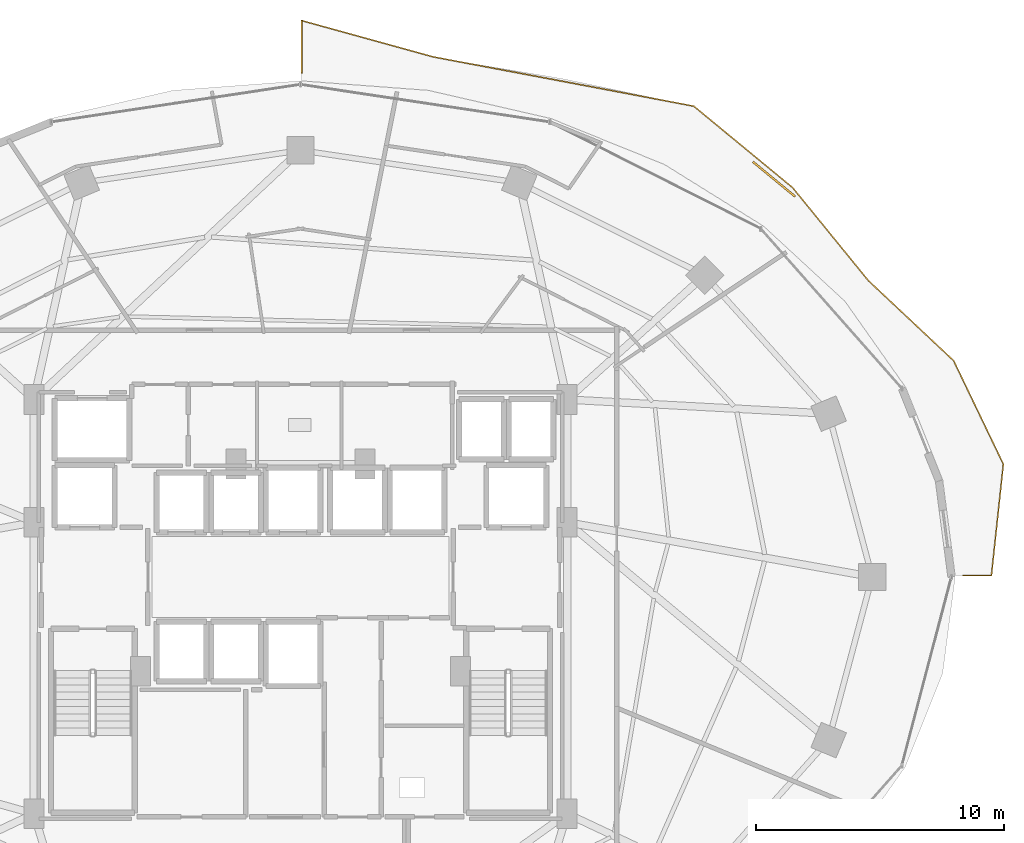
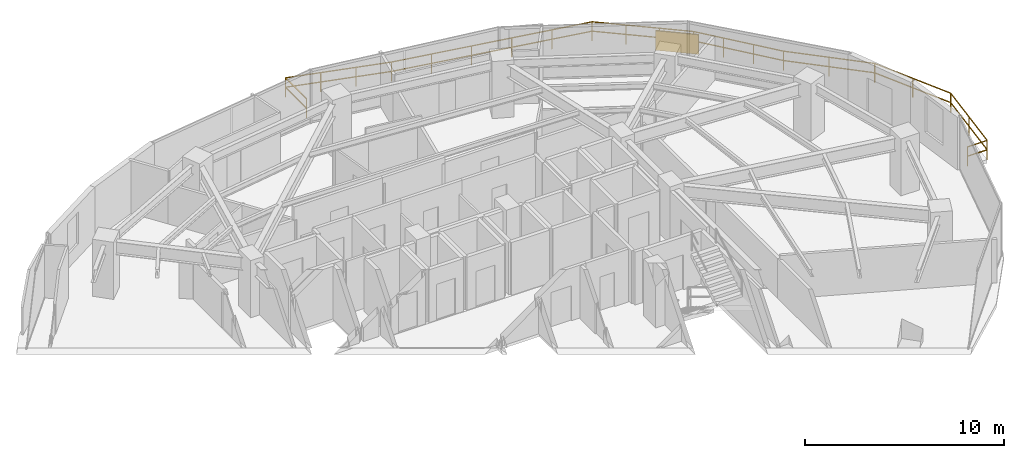
# One storey, part 28 of 29: 2 railings, 1 shading device.
"""IFC4 building model written with IfcOpenShell, lengths in metres."""

from ifc_helpers import new_model, si_unit, direction, frame, origin, origin_2d, place, context, subcontext, project, spatial, rectangle, extrude, material, type_object, element, save


model = new_model("IFC4")

# Units and contexts
model_context = context("Model", 3, precision=1e-05, world=origin(), true_north=direction((0.0, 1.0)))
body_context = subcontext(model_context, "Body", "Model", "MODEL_VIEW")
ifc_project = project(units=[si_unit("LENGTHUNIT", "METRE"), si_unit("AREAUNIT", "SQUARE_METRE"), si_unit("VOLUMEUNIT", "CUBIC_METRE"), si_unit("PLANEANGLEUNIT", "RADIAN"), si_unit("MASSUNIT", "GRAM", prefix="KILO")], contexts=[model_context])

# Site, building, storey
site_placement = place(None, origin())
site = spatial("IfcSite", under=ifc_project, at=site_placement, CompositionType="ELEMENT")
building_placement = place(site_placement, origin())
building = spatial("IfcBuilding", under=site, at=building_placement, Name="Vorneva Point Tower", CompositionType="ELEMENT")
storey_placement = place(building_placement, frame((0.0, 0.0, 82.300048828125)))
storey = spatial("IfcBuildingStorey", under=building, at=storey_placement, Name="L21", CompositionType="ELEMENT", Elevation=82.300048828125)

# Railings
ifc_material = material(Name="Pale anodised aluminium", Category="aluminium")
railing_type = type_object("IfcRailingType", Name="RL-BAL-1200", PredefinedType="BALUSTRADE", material=ifc_material)
railing_1_placement = place(storey_placement, frame((38.050048828125, 48.43115234375, 0.0)))
element("IfcRailing", 1, at=railing_1_placement, inside=storey, type_object=railing_type, Name="L21 Wave Balcony Balustrade NE.1", PredefinedType="BALUSTRADE", context=body_context, shape_type="SweptSolid", body=[
    extrude(rectangle(XDim=0.048095703125, YDim=0.048095703125, at=origin_2d()), frame((0.0, 0.0, 1.17578125), z_axis=(0.0, -1.0, 0.0), x_axis=(1.0, 0.0, 0.0)), (0.0, 0.0, 1.0), 2.114013671875),
    extrude(rectangle(XDim=0.048095703125, YDim=0.048095703125, at=origin_2d()), frame((0.0, 0.0, 0.60009765625), z_axis=(0.0, -1.0, 0.0), x_axis=(1.0, 0.0, 0.0)), (0.0, 0.0, 1.0), 2.114013671875),
    extrude(rectangle(XDim=0.0419921875, YDim=0.0419921875, at=origin_2d()), origin(), (0.0, 0.0, 1.0), 1.15185546875),
    extrude(rectangle(XDim=0.0419921875, YDim=0.0419921875, at=origin_2d()), frame((0.0, -2.114013671875, 0.0)), (0.0, 0.0, 1.0), 1.15185546875),
])
railing_2_placement = place(storey_placement, frame((64.71630859375, 26.050048828125, 0.0)))
element("IfcRailing", 2, at=railing_2_placement, inside=storey, type_object=railing_type, Name="L21 Wave Balcony Balustrade NE.2", PredefinedType="BALUSTRADE", context=body_context, shape_type="SweptSolid", body=[
    extrude(rectangle(XDim=0.048095703125, YDim=0.048095703125, at=origin_2d()), frame((0.0, 0.0, 1.17578125), z_axis=(1.0, 0.0, 0.0), x_axis=(0.0, 1.0, 0.0)), (0.0, 0.0, 1.0), 1.14404296875),
    extrude(rectangle(XDim=0.048095703125, YDim=0.048095703125, at=origin_2d()), frame((0.0, 0.0, 0.60009765625), z_axis=(1.0, 0.0, 0.0), x_axis=(0.0, 1.0, 0.0)), (0.0, 0.0, 1.0), 1.14404296875),
    extrude(rectangle(XDim=0.048095703125, YDim=0.048095703125, at=origin_2d()), frame((1.14404296875, 0.0, 1.17578125), z_axis=(0.106500706091, 0.994312626694, 0.0), x_axis=(-0.994312626694, 0.106500706091, 0.0)), (0.0, 0.0, 1.0), 4.5205078125),
    extrude(rectangle(XDim=0.048095703125, YDim=0.048095703125, at=origin_2d()), frame((1.14404296875, 0.0, 0.60009765625), z_axis=(0.106500706091, 0.994312626694, 0.0), x_axis=(-0.994312626694, 0.106500706091, 0.0)), (0.0, 0.0, 1.0), 4.5205078125),
    extrude(rectangle(XDim=0.048095703125, YDim=0.048095703125, at=origin_2d()), frame((1.62548828125, 4.494873046875, 1.17578125), z_axis=(-0.433152750876, 0.901320528119, 0.0), x_axis=(-0.901320528119, -0.433152750876, 0.0)), (0.0, 0.0, 1.0), 4.629638671875),
    extrude(rectangle(XDim=0.048095703125, YDim=0.048095703125, at=origin_2d()), frame((1.62548828125, 4.494873046875, 0.60009765625), z_axis=(-0.433152750876, 0.901320528119, 0.0), x_axis=(-0.901320528119, -0.433152750876, 0.0)), (0.0, 0.0, 1.0), 4.629638671875),
    extrude(rectangle(XDim=0.048095703125, YDim=0.048095703125, at=origin_2d()), frame((-0.3798828125, 8.667724609375, 1.17578125), z_axis=(-0.728912249194, 0.68460713769, 0.0), x_axis=(-0.68460713769, -0.728912249194, 0.0)), (0.0, 0.0, 1.0), 4.717041015625),
    extrude(rectangle(XDim=0.048095703125, YDim=0.048095703125, at=origin_2d()), frame((-0.3798828125, 8.667724609375, 0.60009765625), z_axis=(-0.728912249194, 0.68460713769, 0.0), x_axis=(-0.68460713769, -0.728912249194, 0.0)), (0.0, 0.0, 1.0), 4.717041015625),
    extrude(rectangle(XDim=0.048095703125, YDim=0.048095703125, at=origin_2d()), frame((-3.818115234375, 11.89697265625, 1.17578125), z_axis=(-0.631402054213, 0.775455637633, 0.0), x_axis=(-0.775455637633, -0.631402054213, 0.0)), (0.0, 0.0, 1.0), 4.835205078125),
    extrude(rectangle(XDim=0.048095703125, YDim=0.048095703125, at=origin_2d()), frame((-3.818115234375, 11.89697265625, 0.60009765625), z_axis=(-0.631402054213, 0.775455637633, 0.0), x_axis=(-0.775455637633, -0.631402054213, 0.0)), (0.0, 0.0, 1.0), 4.835205078125),
    extrude(rectangle(XDim=0.048095703125, YDim=0.048095703125, at=origin_2d()), frame((-6.87109375, 15.646484375, 1.17578125), z_axis=(-0.771788350343, 0.635879502952, 0.0), x_axis=(-0.635879502952, -0.771788350343, 0.0)), (0.0, 0.0, 1.0), 5.166259765625),
    extrude(rectangle(XDim=0.048095703125, YDim=0.048095703125, at=origin_2d()), frame((-6.87109375, 15.646484375, 0.60009765625), z_axis=(-0.771788350343, 0.635879502952, 0.0), x_axis=(-0.635879502952, -0.771788350343, 0.0)), (0.0, 0.0, 1.0), 5.166259765625),
    extrude(rectangle(XDim=0.048095703125, YDim=0.048095703125, at=origin_2d()), frame((-10.8583984375, 18.931640625, 1.17578125), z_axis=(-0.982576445985, 0.185858892161, 0.0), x_axis=(-0.185858892161, -0.982576445985, 0.0)), (0.0, 0.0, 1.0), 10.68994140625),
    extrude(rectangle(XDim=0.048095703125, YDim=0.048095703125, at=origin_2d()), frame((-10.8583984375, 18.931640625, 0.60009765625), z_axis=(-0.982576445985, 0.185858892161, 0.0), x_axis=(-0.185858892161, -0.982576445985, 0.0)), (0.0, 0.0, 1.0), 10.68994140625),
    extrude(rectangle(XDim=0.048095703125, YDim=0.048095703125, at=origin_2d()), frame((-21.362060546875, 20.91845703125, 1.17578125), z_axis=(-0.964019677503, 0.265830888701, 0.0), x_axis=(-0.265830888701, -0.964019677503, 0.0)), (0.0, 0.0, 1.0), 5.502197265625),
    extrude(rectangle(XDim=0.048095703125, YDim=0.048095703125, at=origin_2d()), frame((-21.362060546875, 20.91845703125, 0.60009765625), z_axis=(-0.964019677503, 0.265830888701, 0.0), x_axis=(-0.265830888701, -0.964019677503, 0.0)), (0.0, 0.0, 1.0), 5.502197265625),
    extrude(rectangle(XDim=0.0419921875, YDim=0.0419921875, at=origin_2d()), origin(), (0.0, 0.0, 1.0), 1.15185546875),
    extrude(rectangle(XDim=0.0419921875, YDim=0.0419921875, at=origin_2d()), frame((1.14404296875, 0.0, 0.0)), (0.0, 0.0, 1.0), 1.15185546875),
    extrude(rectangle(XDim=0.0419921875, YDim=0.0419921875, at=origin_2d()), frame((1.384765625, 2.24755859375, 0.0)), (0.0, 0.0, 1.0), 1.15185546875),
    extrude(rectangle(XDim=0.0419921875, YDim=0.0419921875, at=origin_2d()), frame((1.62548828125, 4.494873046875, 0.0)), (0.0, 0.0, 1.0), 1.15185546875),
    extrude(rectangle(XDim=0.0419921875, YDim=0.0419921875, at=origin_2d()), frame((0.622802734375, 6.581298828125, 0.0)), (0.0, 0.0, 1.0), 1.15185546875),
    extrude(rectangle(XDim=0.0419921875, YDim=0.0419921875, at=origin_2d()), frame((-0.3798828125, 8.667724609375, 0.0)), (0.0, 0.0, 1.0), 1.15185546875),
    extrude(rectangle(XDim=0.0419921875, YDim=0.0419921875, at=origin_2d()), frame((-2.09912109375, 10.2822265625, 0.0)), (0.0, 0.0, 1.0), 1.15185546875),
    extrude(rectangle(XDim=0.0419921875, YDim=0.0419921875, at=origin_2d()), frame((-3.818115234375, 11.89697265625, 0.0)), (0.0, 0.0, 1.0), 1.15185546875),
    extrude(rectangle(XDim=0.0419921875, YDim=0.0419921875, at=origin_2d()), frame((-4.835693359375, 13.146728515625, 0.0)), (0.0, 0.0, 1.0), 1.15185546875),
    extrude(rectangle(XDim=0.0419921875, YDim=0.0419921875, at=origin_2d()), frame((-5.853515625, 14.396728515625, 0.0)), (0.0, 0.0, 1.0), 1.15185546875),
    extrude(rectangle(XDim=0.0419921875, YDim=0.0419921875, at=origin_2d()), frame((-6.87109375, 15.646484375, 0.0)), (0.0, 0.0, 1.0), 1.15185546875),
    extrude(rectangle(XDim=0.0419921875, YDim=0.0419921875, at=origin_2d()), frame((-8.2001953125, 16.741455078125, 0.0)), (0.0, 0.0, 1.0), 1.15185546875),
    extrude(rectangle(XDim=0.0419921875, YDim=0.0419921875, at=origin_2d()), frame((-9.529296875, 17.836669921875, 0.0)), (0.0, 0.0, 1.0), 1.15185546875),
    extrude(rectangle(XDim=0.0419921875, YDim=0.0419921875, at=origin_2d()), frame((-10.8583984375, 18.931640625, 0.0)), (0.0, 0.0, 1.0), 1.15185546875),
    extrude(rectangle(XDim=0.0419921875, YDim=0.0419921875, at=origin_2d()), frame((-12.959228515625, 19.3291015625, 0.0)), (0.0, 0.0, 1.0), 1.15185546875),
    extrude(rectangle(XDim=0.0419921875, YDim=0.0419921875, at=origin_2d()), frame((-15.059814453125, 19.726318359375, 0.0)), (0.0, 0.0, 1.0), 1.15185546875),
    extrude(rectangle(XDim=0.0419921875, YDim=0.0419921875, at=origin_2d()), frame((-17.16064453125, 20.123779296875, 0.0)), (0.0, 0.0, 1.0), 1.15185546875),
    extrude(rectangle(XDim=0.0419921875, YDim=0.0419921875, at=origin_2d()), frame((-19.26123046875, 20.52099609375, 0.0)), (0.0, 0.0, 1.0), 1.15185546875),
    extrude(rectangle(XDim=0.0419921875, YDim=0.0419921875, at=origin_2d()), frame((-21.362060546875, 20.91845703125, 0.0)), (0.0, 0.0, 1.0), 1.15185546875),
    extrude(rectangle(XDim=0.0419921875, YDim=0.0419921875, at=origin_2d()), frame((-23.130126953125, 21.406005859375, 0.0)), (0.0, 0.0, 1.0), 1.15185546875),
    extrude(rectangle(XDim=0.0419921875, YDim=0.0419921875, at=origin_2d()), frame((-24.898193359375, 21.8935546875, 0.0)), (0.0, 0.0, 1.0), 1.15185546875),
    extrude(rectangle(XDim=0.0419921875, YDim=0.0419921875, at=origin_2d()), frame((-26.666259765625, 22.381103515625, 0.0)), (0.0, 0.0, 1.0), 1.15185546875),
])

# Shading device
shading_device_type = type_object("IfcShadingDeviceType", Name="SHD-JAL-1200", PredefinedType="JALOUSIE", material=ifc_material)
shading_device_placement = place(storey_placement, frame((57.092529296875, 42.036376953125, -0.02001953125), z_axis=(0.0, 0.0, 1.0), x_axis=(-0.771779983581, 0.635889657837, 0.0)))
element("IfcShadingDevice", 3, at=shading_device_placement, inside=storey, type_object=shading_device_type, Name="L21 Balcony Vertical-Greenery Planter Screen NE.2", PredefinedType="JALOUSIE", context=body_context, shape_type="SweptSolid", body=[
    extrude(rectangle(XDim=2.199951171875, YDim=0.080078125, at=origin_2d()), origin(), (0.0, 0.0, 1.0), 1.199951171875),
])

save(model, "model.ifc")
